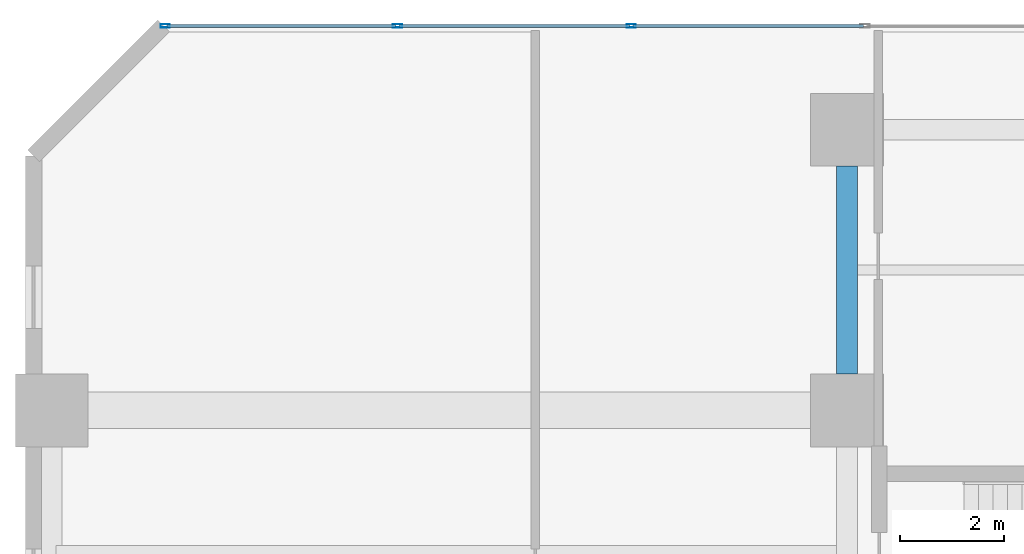
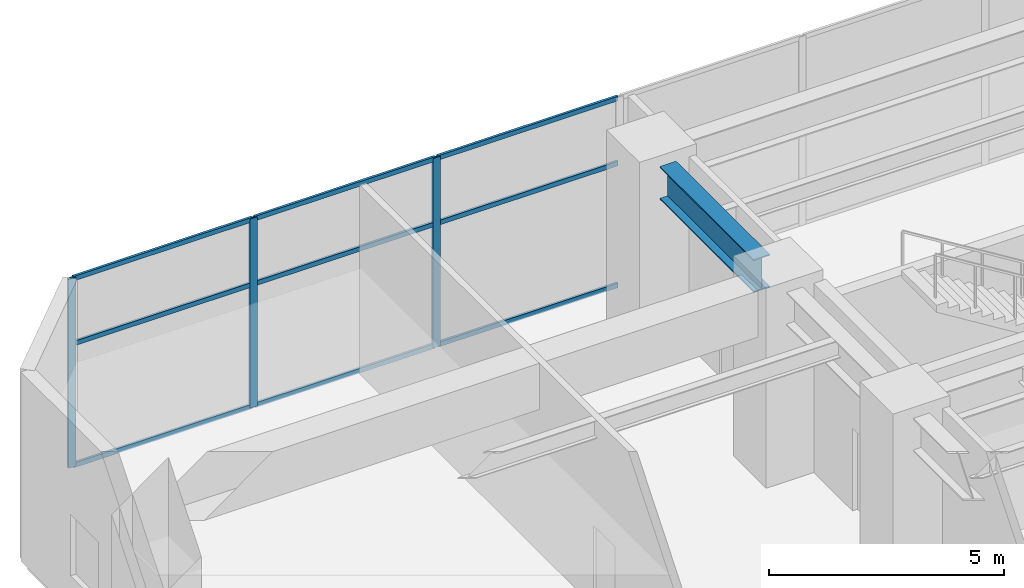
# One storey, part 13 of 29: 12 members, 1 beam, 1 element without a shape of its own.
"""IFC4 building model written with IfcOpenShell, lengths in metres."""

from ifc_helpers import new_model, si_unit, direction, frame, origin, origin_2d, place, context, subcontext, project, spatial, hollow_rectangle, i_section, extrude, material, layer, layer_set, material_profile, profile_set, type_object, element, aggregate, save


model = new_model("IFC4")

# Units and contexts
model_context = context("Model", 3, precision=1e-05, world=origin(), true_north=direction((0.0, 1.0)))
body_context = subcontext(model_context, "Body", "Model", "MODEL_VIEW")
ifc_project = project(units=[si_unit("LENGTHUNIT", "METRE"), si_unit("AREAUNIT", "SQUARE_METRE"), si_unit("VOLUMEUNIT", "CUBIC_METRE"), si_unit("PLANEANGLEUNIT", "RADIAN"), si_unit("MASSUNIT", "GRAM", prefix="KILO")], contexts=[model_context])

# Site, building, storey
site_placement = place(None, origin())
site = spatial("IfcSite", under=ifc_project, at=site_placement, CompositionType="ELEMENT")
building_placement = place(site_placement, origin())
building = spatial("IfcBuilding", under=site, at=building_placement, Name="Mawjaban Terraces University", CompositionType="ELEMENT")
storey_placement = place(building_placement, frame((0.0, 0.0, 15.60009765625)))
storey = spatial("IfcBuildingStorey", under=building, at=storey_placement, Name="L03", CompositionType="ELEMENT", Elevation=15.60009765625)

# Beam
ifc_material_1 = material(Name="Steel ASTM A572 Grade 50", Category="steel")
ifc_material_profile_1 = material_profile(ifc_material_1, i_section(OverallWidth=0.39990234375, OverallDepth=0.85498046875, WebThickness=0.018310546875, FlangeThickness=0.029296875, at=origin_2d()), Name="W840X299")
ifc_profile_set_1 = profile_set([ifc_material_profile_1], Name="Steel ASTM A572 Grade 50")
beam_type = type_object("IfcBeamType", Name="Beam_B_W840X299", PredefinedType="BEAM", material=ifc_profile_set_1)
beam_placement = place(storey_placement, frame((37.64990234375, 47.300048828125, 4.492919921875), z_axis=(0.0, 1.0, 0.0), x_axis=(-1.0, 0.0, 0.0)))
element("IfcBeam", 1, at=beam_placement, inside=storey, type_object=beam_type, Name="L03 Beam BM-L03-NS-12", PredefinedType="BEAM", context=body_context, shape_type="SweptSolid", body=[
    extrude(i_section(OverallWidth=0.39990234375, OverallDepth=0.85498046875, WebThickness=0.018310546875, FlangeThickness=0.029296875, at=origin_2d()), origin(), (0.0, 0.0, 1.0), 4.0),
])

# Curtain wall, members
ifc_material_2 = material(Name="Anodised aluminium 6063-T6 and solar-control low-E glass", Category="aluminium")
ifc_layer = layer(ifc_material_2, 0.175048828125)
ifc_layer_set = layer_set([ifc_layer], Name="Anodised aluminium 6063-T6 and solar-control low-E glass")
curtain_wall_type = type_object("IfcCurtainWallType", Name="CWSystem_02_PodiumLibrary", PredefinedType="NOTDEFINED", material=ifc_layer_set)
curtain_wall_placement = place(storey_placement, origin())
curtain_wall = element("IfcCurtainWall", 2, at=curtain_wall_placement, inside=storey, type_object=curtain_wall_type, Name="L03 Curtain Wall CW-02 Run 8.1", PredefinedType="NOTDEFINED")
ifc_material_3 = material(Name="Anodised aluminium 6063-T6", Category="aluminium")
ifc_material_profile_2 = material_profile(ifc_material_3, hollow_rectangle(XDim=0.06494140625, YDim=0.179931640625, WallThickness=0.00390625, at=origin_2d()), Name="ALU180X65X4")
ifc_profile_set_2 = profile_set([ifc_material_profile_2], Name="Anodised aluminium 6063-T6")
member_type_1 = type_object("IfcMemberType", Name="Mullion_CW-02", PredefinedType="MULLION", material=ifc_profile_set_2)
member_1_placement = place(storey_placement, frame((33.5, 54.0, 0.0), z_axis=(0.0, 0.0, 1.0), x_axis=(0.0, -1.0, 0.0)))
member_1 = element("IfcMember", 3, at=member_1_placement, type_object=member_type_1, Name="CW-02 mullion 5", PredefinedType="MULLION", context=body_context, shape_type="SweptSolid", body=[
    extrude(hollow_rectangle(XDim=0.06494140625, YDim=0.179931640625, WallThickness=0.00390625, at=origin_2d()), origin(), (0.0, 0.0, 1.0), 4.919921875),
])
member_2_placement = place(storey_placement, frame((29.0, 54.0, 0.0), z_axis=(0.0, 0.0, 1.0), x_axis=(0.0, -1.0, 0.0)))
member_2 = element("IfcMember", 4, at=member_2_placement, type_object=member_type_1, Name="CW-02 mullion 6", PredefinedType="MULLION", context=body_context, shape_type="SweptSolid", body=[
    extrude(hollow_rectangle(XDim=0.06494140625, YDim=0.179931640625, WallThickness=0.00390625, at=origin_2d()), origin(), (0.0, 0.0, 1.0), 4.919921875),
])
member_3_placement = place(storey_placement, frame((24.532470703125, 54.0, 0.0), z_axis=(0.0, 0.0, 1.0), x_axis=(0.0, -1.0, 0.0)))
member_3 = element("IfcMember", 5, at=member_3_placement, type_object=member_type_1, Name="CW-02 mullion 7", PredefinedType="MULLION", context=body_context, shape_type="SweptSolid", body=[
    extrude(hollow_rectangle(XDim=0.06494140625, YDim=0.179931640625, WallThickness=0.00390625, at=origin_2d()), origin(), (0.0, 0.0, 1.0), 4.919921875),
])
ifc_material_profile_3 = material_profile(ifc_material_3, hollow_rectangle(XDim=0.06005859375, YDim=0.1201171875, WallThickness=0.00341796875, at=origin_2d()), Name="ALU120X60X3.5")
ifc_profile_set_3 = profile_set([ifc_material_profile_3], Name="Anodised aluminium 6063-T6")
member_type_2 = type_object("IfcMemberType", Name="Transom_CW-02", PredefinedType="NOTDEFINED", material=ifc_profile_set_3)
member_4_placement = place(storey_placement, frame((37.967529296875, 54.0, 0.02978515625), z_axis=(-1.0, 0.0, 0.0), x_axis=(0.0, -1.0, 0.0)))
member_4 = element("IfcMember", 6, at=member_4_placement, type_object=member_type_2, Name="CW-02 transom 4.1", ObjectType="TRANSOM", PredefinedType="USERDEFINED", context=body_context, shape_type="SweptSolid", body=[
    extrude(hollow_rectangle(XDim=0.06005859375, YDim=0.1201171875, WallThickness=0.00341796875, at=origin_2d()), origin(), (0.0, 0.0, 1.0), 4.43505859375),
])
member_5_placement = place(storey_placement, frame((37.967529296875, 54.0, 3.197998046875), z_axis=(-1.0, 0.0, 0.0), x_axis=(0.0, -1.0, 0.0)))
member_5 = element("IfcMember", 7, at=member_5_placement, type_object=member_type_2, Name="CW-02 transom 4.2", ObjectType="TRANSOM", PredefinedType="USERDEFINED", context=body_context, shape_type="SweptSolid", body=[
    extrude(hollow_rectangle(XDim=0.06005859375, YDim=0.1201171875, WallThickness=0.00341796875, at=origin_2d()), origin(), (0.0, 0.0, 1.0), 4.43505859375),
])
member_6_placement = place(storey_placement, frame((37.967529296875, 54.0, 4.889892578125), z_axis=(-1.0, 0.0, 0.0), x_axis=(0.0, -1.0, 0.0)))
member_6 = element("IfcMember", 8, at=member_6_placement, type_object=member_type_2, Name="CW-02 transom 4.3", ObjectType="TRANSOM", PredefinedType="USERDEFINED", context=body_context, shape_type="SweptSolid", body=[
    extrude(hollow_rectangle(XDim=0.06005859375, YDim=0.1201171875, WallThickness=0.00341796875, at=origin_2d()), origin(), (0.0, 0.0, 1.0), 4.43505859375),
])
member_7_placement = place(storey_placement, frame((33.467529296875, 54.0, 0.02978515625), z_axis=(-1.0, 0.0, 0.0), x_axis=(0.0, -1.0, 0.0)))
member_7 = element("IfcMember", 9, at=member_7_placement, type_object=member_type_2, Name="CW-02 transom 5.1", ObjectType="TRANSOM", PredefinedType="USERDEFINED", context=body_context, shape_type="SweptSolid", body=[
    extrude(hollow_rectangle(XDim=0.06005859375, YDim=0.1201171875, WallThickness=0.00341796875, at=origin_2d()), origin(), (0.0, 0.0, 1.0), 4.43505859375),
])
member_8_placement = place(storey_placement, frame((33.467529296875, 54.0, 3.197998046875), z_axis=(-1.0, 0.0, 0.0), x_axis=(0.0, -1.0, 0.0)))
member_8 = element("IfcMember", 10, at=member_8_placement, type_object=member_type_2, Name="CW-02 transom 5.2", ObjectType="TRANSOM", PredefinedType="USERDEFINED", context=body_context, shape_type="SweptSolid", body=[
    extrude(hollow_rectangle(XDim=0.06005859375, YDim=0.1201171875, WallThickness=0.00341796875, at=origin_2d()), origin(), (0.0, 0.0, 1.0), 4.43505859375),
])
member_9_placement = place(storey_placement, frame((33.467529296875, 54.0, 4.889892578125), z_axis=(-1.0, 0.0, 0.0), x_axis=(0.0, -1.0, 0.0)))
member_9 = element("IfcMember", 11, at=member_9_placement, type_object=member_type_2, Name="CW-02 transom 5.3", ObjectType="TRANSOM", PredefinedType="USERDEFINED", context=body_context, shape_type="SweptSolid", body=[
    extrude(hollow_rectangle(XDim=0.06005859375, YDim=0.1201171875, WallThickness=0.00341796875, at=origin_2d()), origin(), (0.0, 0.0, 1.0), 4.43505859375),
])
member_10_placement = place(storey_placement, frame((28.967529296875, 54.0, 0.02978515625), z_axis=(-1.0, 0.0, 0.0), x_axis=(0.0, -1.0, 0.0)))
member_10 = element("IfcMember", 12, at=member_10_placement, type_object=member_type_2, Name="CW-02 transom 6.1", ObjectType="TRANSOM", PredefinedType="USERDEFINED", context=body_context, shape_type="SweptSolid", body=[
    extrude(hollow_rectangle(XDim=0.06005859375, YDim=0.1201171875, WallThickness=0.00341796875, at=origin_2d()), origin(), (0.0, 0.0, 1.0), 4.402587890625),
])
member_11_placement = place(storey_placement, frame((28.967529296875, 54.0, 3.197998046875), z_axis=(-1.0, 0.0, 0.0), x_axis=(0.0, -1.0, 0.0)))
member_11 = element("IfcMember", 13, at=member_11_placement, type_object=member_type_2, Name="CW-02 transom 6.2", ObjectType="TRANSOM", PredefinedType="USERDEFINED", context=body_context, shape_type="SweptSolid", body=[
    extrude(hollow_rectangle(XDim=0.06005859375, YDim=0.1201171875, WallThickness=0.00341796875, at=origin_2d()), origin(), (0.0, 0.0, 1.0), 4.402587890625),
])
member_12_placement = place(storey_placement, frame((28.967529296875, 54.0, 4.889892578125), z_axis=(-1.0, 0.0, 0.0), x_axis=(0.0, -1.0, 0.0)))
member_12 = element("IfcMember", 14, at=member_12_placement, type_object=member_type_2, Name="CW-02 transom 6.3", ObjectType="TRANSOM", PredefinedType="USERDEFINED", context=body_context, shape_type="SweptSolid", body=[
    extrude(hollow_rectangle(XDim=0.06005859375, YDim=0.1201171875, WallThickness=0.00341796875, at=origin_2d()), origin(), (0.0, 0.0, 1.0), 4.402587890625),
])
aggregate(curtain_wall, [member_1, member_2, member_3, member_4, member_5, member_6, member_7, member_8, member_9, member_10, member_11, member_12])

save(model, "model.ifc")
